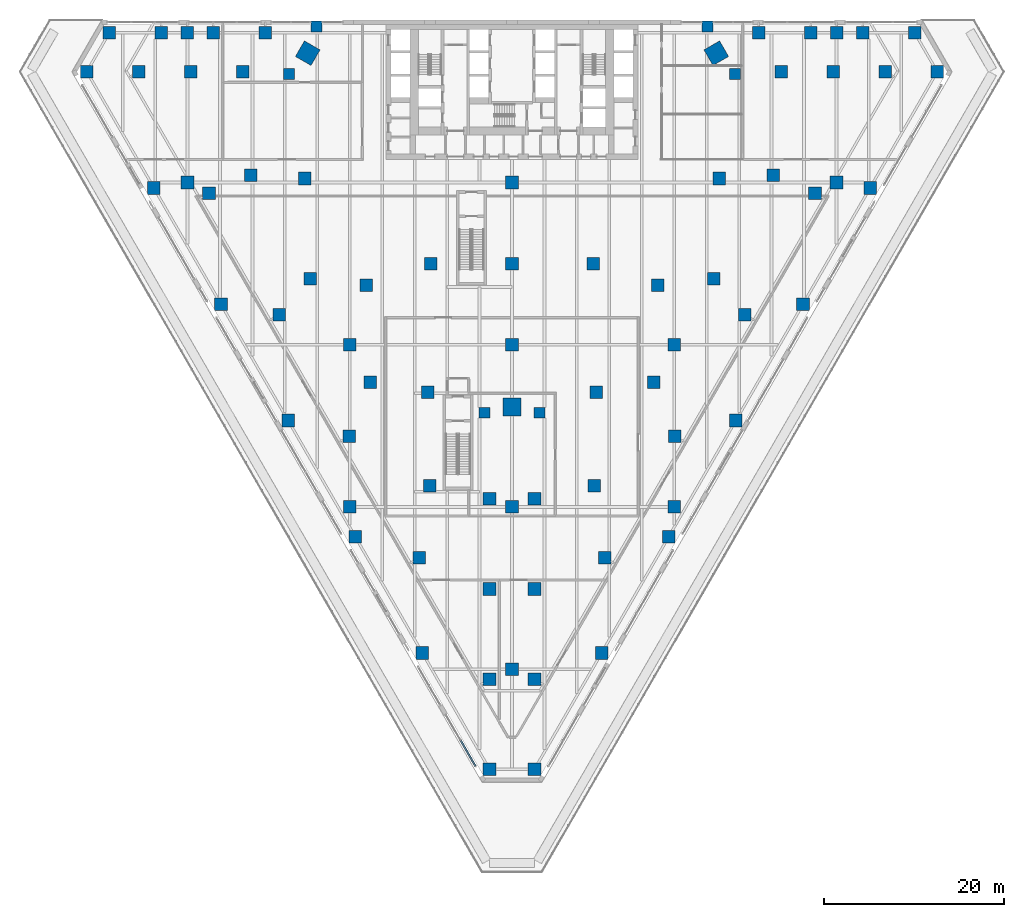
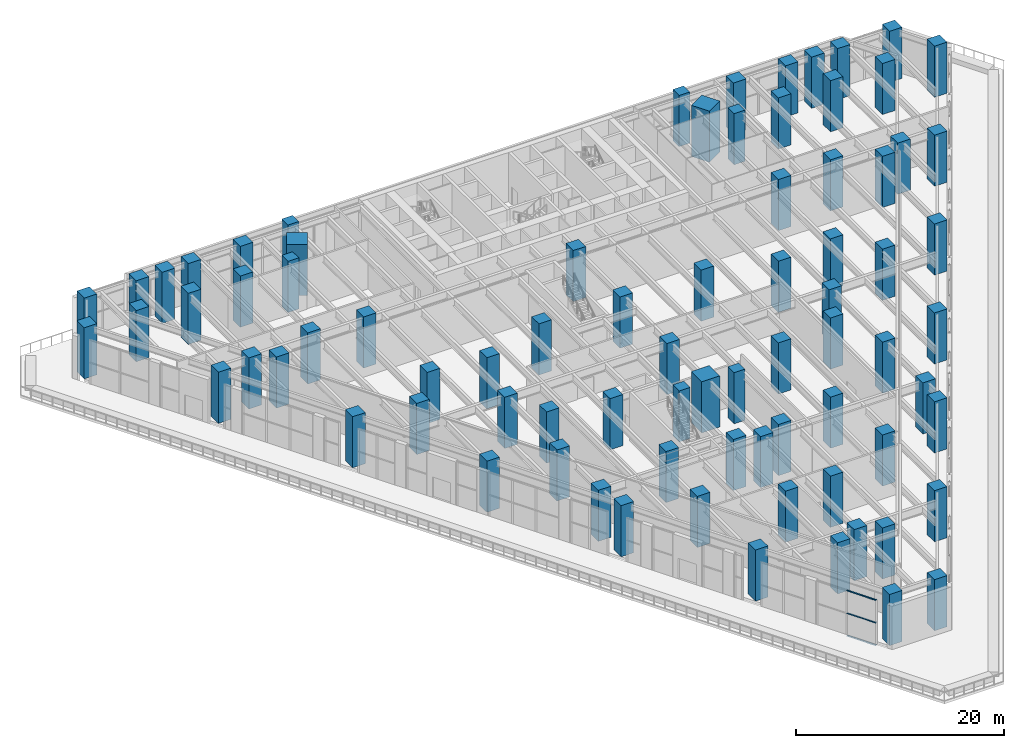
# One storey, part 1 of 40: 80 columns, 3 members, 1 element without a shape of its own.
"""IFC4 building model written with IfcOpenShell, lengths in metres."""

from ifc_helpers import new_model, si_unit, direction, frame, origin, origin_2d, place, context, subcontext, project, spatial, rectangle, extrude, material, material_profile, profile_set, type_object, element, aggregate, save


model = new_model("IFC4")

# Units and contexts
model_context = context("Model", 3, precision=1e-05, world=origin(), true_north=direction((0.0, 1.0)))
body_context = subcontext(model_context, "Body", "Model", "MODEL_VIEW")
ifc_project = project(units=[si_unit("LENGTHUNIT", "METRE"), si_unit("AREAUNIT", "SQUARE_METRE"), si_unit("VOLUMEUNIT", "CUBIC_METRE"), si_unit("PLANEANGLEUNIT", "RADIAN"), si_unit("MASSUNIT", "GRAM", prefix="KILO")], contexts=[model_context])

# Site, building, storey
site_placement = place(None, origin())
site = spatial("IfcSite", under=ifc_project, at=site_placement, CompositionType="ELEMENT")
building_placement = place(site_placement, origin())
building = spatial("IfcBuilding", under=site, at=building_placement, Name="Aloe Facet Convention Tower", CompositionType="ELEMENT")
storey_placement = place(building_placement, frame((0.0, 0.0, 13.5)))
storey = spatial("IfcBuildingStorey", under=building, at=storey_placement, Name="L02", CompositionType="ELEMENT", Elevation=13.5)

# Columns
ifc_material_1 = material(Name="Concrete C60/75", Category="concrete")
ifc_material_profile_1 = material_profile(ifc_material_1, rectangle(XDim=1.39990234375, YDim=1.39990234375, at=origin_2d()), Name="SF-PC-1400")
ifc_profile_set_1 = profile_set([ifc_material_profile_1], Name="Concrete C60/75")
column_type_1 = type_object("IfcColumnType", Name="SF-PC-1400", PredefinedType="COLUMN", material=ifc_profile_set_1)
for number, where, z_axis, x_axis, name in (
    (1, (89.0, 108.0, 0.0), (0.0, 0.0, 1.0), (1.0, 0.0, 0.0), "Podium column PC-10D"),
    (2, (98.0, 99.0, 0.0), (0.0, 0.0, 1.0), (1.0, 0.0, 0.0), "Podium column PC-11E"),
    (3, (98.0, 81.0, 0.0), (0.0, 0.0, 1.0), (1.0, 0.0, 0.0), "Podium column PC-11G"),
    (4, (116.0, 117.0, 0.0), (0.0, 0.0, 1.0), (1.0, 0.0, 0.0), "Podium column PC-13C"),
    (5, (44.0, 117.0, 0.0), (0.0, 0.0, 1.0), (1.0, 0.0, 0.0), "Podium column PC-5C"),
    (6, (62.0, 99.0, 0.0), (0.0, 0.0, 1.0), (1.0, 0.0, 0.0), "Podium column PC-7E"),
    (7, (62.0, 81.0, 0.0), (0.0, 0.0, 1.0), (1.0, 0.0, 0.0), "Podium column PC-7G"),
    (8, (71.0, 108.0, 0.0), (0.0, 0.0, 1.0), (1.0, 0.0, 0.0), "Podium column PC-8D"),
    (9, (80.0, 117.0, 0.0), (0.0, 0.0, 1.0), (1.0, 0.0, 0.0), "Podium column PC-9C"),
    (10, (80.0, 108.0, 0.0), (0.0, 0.0, 1.0), (1.0, 0.0, 0.0), "Podium column PC-9D"),
    (11, (80.0, 99.0, 0.0), (0.0, 0.0, 1.0), (1.0, 0.0, 0.0), "Podium column PC-9E"),
    (12, (80.0, 81.0, 0.0), (0.0, 0.0, 1.0), (1.0, 0.0, 0.0), "Podium column PC-9G"),
    (13, (80.0, 63.0, 0.0), (0.0, 0.0, 1.0), (1.0, 0.0, 0.0), "Podium column PC-9J"),
    (14, (102.375, 106.324951171875, 0.0), (0.0, 0.0, 1.0), (1.0, 0.0, 0.0), "Podium column PE-102-106"),
    (15, (103.01611328125, 117.43505859375, 0.0), (0.0, 0.0, 1.0), (1.0, 0.0, 0.0), "Podium column PE-103-117"),
    (16, (104.8349609375, 90.5849609375, 0.0), (0.0, 0.0, 1.0), (1.0, 0.0, 0.0), "Podium column PE-105-91"),
    (17, (105.839111328125, 102.324951171875, 0.0), (0.0, 0.0, 1.0), (1.0, 0.0, 0.0), "Podium column PE-106-102"),
    (18, (107.364990234375, 133.60009765625, 0.0), (0.0, 0.0, 1.0), (1.0, 0.0, 0.0), "Podium column PE-107-134"),
    (19, (109.0029296875, 117.804931640625, 0.0), (0.0, 0.0, 1.0), (1.0, 0.0, 0.0), "Podium column PE-109-118"),
    (20, (109.85693359375, 129.283935546875, 0.0), (0.0, 0.0, 1.0), (1.0, 0.0, 0.0), "Podium column PE-110-129"),
    (21, (112.281982421875, 103.485107421875, 0.0), (0.0, 0.0, 1.0), (1.0, 0.0, 0.0), "Podium column PE-112-103"),
    (22, (113.138916015625, 133.60009765625, 0.0), (0.0, 0.0, 1.0), (1.0, 0.0, 0.0), "Podium column PE-113-134"),
    (23, (113.62109375, 115.804931640625, 0.0), (0.0, 0.0, 1.0), (1.0, 0.0, 0.0), "Podium column PE-114-116"),
    (24, (115.6298828125, 129.283935546875, 0.0), (0.0, 0.0, 1.0), (1.0, 0.0, 0.0), "Podium column PE-116-129"),
    (25, (116.0419921875, 133.60009765625, 0.0), (0.0, 0.0, 1.0), (1.0, 0.0, 0.0), "Podium column PE-116-134"),
    (26, (118.912109375, 133.60009765625, 0.0), (0.0, 0.0, 1.0), (1.0, 0.0, 0.0), "Podium column PE-119-134"),
    (27, (119.72998046875, 116.385009765625, 0.0), (0.0, 0.0, 1.0), (1.0, 0.0, 0.0), "Podium column PE-120-116"),
    (28, (121.404052734375, 129.283935546875, 0.0), (0.0, 0.0, 1.0), (1.0, 0.0, 0.0), "Podium column PE-121-129"),
    (29, (124.68603515625, 133.60009765625, 0.0), (0.0, 0.0, 1.0), (1.0, 0.0, 0.0), "Podium column PE-125-134"),
    (30, (127.177001953125, 129.283935546875, 0.0), (0.0, 0.0, 1.0), (1.0, 0.0, 0.0), "Podium column PE-127-129"),
    (31, (32.822998046875, 129.283935546875, 0.0), (0.0, 0.0, 1.0), (1.0, 0.0, 0.0), "Podium column PE-33-129"),
    (32, (35.31396484375, 133.60009765625, 0.0), (0.0, 0.0, 1.0), (1.0, 0.0, 0.0), "Podium column PE-35-134"),
    (33, (38.595947265625, 129.283935546875, 0.0), (0.0, 0.0, 1.0), (1.0, 0.0, 0.0), "Podium column PE-39-129"),
    (34, (40.27001953125, 116.385009765625, 0.0), (0.0, 0.0, 1.0), (1.0, 0.0, 0.0), "Podium column PE-40-116"),
    (35, (41.087890625, 133.60009765625, 0.0), (0.0, 0.0, 1.0), (1.0, 0.0, 0.0), "Podium column PE-41-134"),
    (36, (44.3701171875, 129.283935546875, 0.0), (0.0, 0.0, 1.0), (1.0, 0.0, 0.0), "Podium column PE-44-129"),
    (37, (43.9580078125, 133.60009765625, 0.0), (0.0, 0.0, 1.0), (1.0, 0.0, 0.0), "Podium column PE-44-134"),
    (38, (46.37890625, 115.804931640625, 0.0), (0.0, 0.0, 1.0), (1.0, 0.0, 0.0), "Podium column PE-46-116"),
    (39, (46.861083984375, 133.60009765625, 0.0), (0.0, 0.0, 1.0), (1.0, 0.0, 0.0), "Podium column PE-47-134"),
    (40, (47.718017578125, 103.485107421875, 0.0), (0.0, 0.0, 1.0), (1.0, 0.0, 0.0), "Podium column PE-48-103"),
    (41, (50.14306640625, 129.283935546875, 0.0), (0.0, 0.0, 1.0), (1.0, 0.0, 0.0), "Podium column PE-50-129"),
    (42, (50.9970703125, 117.804931640625, 0.0), (0.0, 0.0, 1.0), (1.0, 0.0, 0.0), "Podium column PE-51-118"),
    (43, (52.635009765625, 133.60009765625, 0.0), (0.0, 0.0, 1.0), (1.0, 0.0, 0.0), "Podium column PE-53-134"),
    (44, (54.160888671875, 102.324951171875, 0.0), (0.0, 0.0, 1.0), (1.0, 0.0, 0.0), "Podium column PE-54-102"),
    (45, (55.1650390625, 90.5849609375, 0.0), (0.0, 0.0, 1.0), (1.0, 0.0, 0.0), "Podium column PE-55-91"),
    (46, (56.98388671875, 117.43505859375, 0.0), (0.0, 0.0, 1.0), (1.0, 0.0, 0.0), "Podium column PE-57-117"),
    (47, (57.625, 106.324951171875, 0.0), (0.0, 0.0, 1.0), (1.0, 0.0, 0.0), "Podium column PE-58-106"),
    (48, (61.943115234375, 88.844970703125, 0.0), (0.0, 0.0, 1.0), (1.0, 0.0, 0.0), "Podium column PE-62-89"),
    (49, (62.613037109375, 77.68603515625, 0.0), (0.0, 0.0, 1.0), (1.0, 0.0, 0.0), "Podium column PE-63-78"),
    (50, (63.825927734375, 105.5849609375, 0.0), (0.0, 0.0, 1.0), (1.0, 0.0, 0.0), "Podium column PE-64-106"),
    (51, (64.2529296875, 94.844970703125, 0.0), (0.0, 0.0, 1.0), (1.0, 0.0, 0.0), "Podium column PE-64-95"),
    (52, (70.06103515625, 64.785888671875, 0.0), (0.0, 0.0, 1.0), (1.0, 0.0, 0.0), "Podium column PE-70-65"),
    (53, (69.72607421875, 75.365966796875, 0.0), (0.0, 0.0, 1.0), (1.0, 0.0, 0.0), "Podium column PE-70-75"),
    (54, (70.881103515625, 83.365966796875, 0.0), (0.0, 0.0, 1.0), (1.0, 0.0, 0.0), "Podium column PE-71-83"),
    (55, (70.6669921875, 93.736083984375, 0.0), (0.0, 0.0, 1.0), (1.0, 0.0, 0.0), "Podium column PE-71-94"),
    (56, (77.508056640625, 51.885986328125, 0.0), (0.0, 0.0, 1.0), (1.0, 0.0, 0.0), "Podium column PE-78-52"),
    (57, (77.508056640625, 61.885986328125, 0.0), (0.0, 0.0, 1.0), (1.0, 0.0, 0.0), "Podium column PE-78-62"),
    (58, (77.508056640625, 71.885986328125, 0.0), (0.0, 0.0, 1.0), (1.0, 0.0, 0.0), "Podium column PE-78-72"),
    (59, (77.508056640625, 81.885986328125, 0.0), (0.0, 0.0, 1.0), (1.0, 0.0, 0.0), "Podium column PE-78-82"),
    (60, (82.491943359375, 51.885986328125, 0.0), (0.0, 0.0, 1.0), (1.0, 0.0, 0.0), "Podium column PE-82-52"),
    (61, (82.491943359375, 61.885986328125, 0.0), (0.0, 0.0, 1.0), (1.0, 0.0, 0.0), "Podium column PE-82-62"),
    (62, (82.491943359375, 71.885986328125, 0.0), (0.0, 0.0, 1.0), (1.0, 0.0, 0.0), "Podium column PE-82-72"),
    (63, (82.491943359375, 81.885986328125, 0.0), (0.0, 0.0, 1.0), (1.0, 0.0, 0.0), "Podium column PE-82-82"),
    (64, (89.118896484375, 83.365966796875, 0.0), (0.0, 0.0, 1.0), (1.0, 0.0, 0.0), "Podium column PE-89-83"),
    (65, (89.3330078125, 93.736083984375, 0.0), (0.0, 0.0, 1.0), (1.0, 0.0, 0.0), "Podium column PE-89-94"),
    (66, (89.93896484375, 64.785888671875, 0.0), (0.0, 0.0, 1.0), (1.0, 0.0, 0.0), "Podium column PE-90-65"),
    (67, (90.27392578125, 75.365966796875, 0.0), (0.0, 0.0, 1.0), (1.0, 0.0, 0.0), "Podium column PE-90-75"),
    (68, (96.174072265625, 105.5849609375, 0.0), (0.0, 0.0, 1.0), (1.0, 0.0, 0.0), "Podium column PE-96-106"),
    (69, (95.7470703125, 94.844970703125, 0.0), (0.0, 0.0, 1.0), (1.0, 0.0, 0.0), "Podium column PE-96-95"),
    (70, (97.386962890625, 77.68603515625, 0.0), (0.0, 0.0, 1.0), (1.0, 0.0, 0.0), "Podium column PE-97-78"),
    (71, (98.056884765625, 88.844970703125, 0.0), (0.0, 0.0, 1.0), (1.0, 0.0, 0.0), "Podium column PE-98-89"),
):
    element("IfcColumn", number, at=place(storey_placement, frame(where, z_axis=z_axis, x_axis=x_axis)), inside=storey, type_object=column_type_1, Name=name, PredefinedType="COLUMN", context=body_context, shape_type="SweptSolid", body=[
        extrude(rectangle(XDim=1.39990234375, YDim=1.39990234375, at=origin_2d()), origin(), (0.0, 0.0, 1.0), 6.0),
    ])
ifc_material_2 = material(Name="Concrete C60/75", Category="concrete")
ifc_material_profile_2 = material_profile(ifc_material_2, rectangle(XDim=1.199951171875, YDim=1.199951171875, at=origin_2d()), Name="SF-PR-1200")
ifc_profile_set_2 = profile_set([ifc_material_profile_2], Name="Concrete C60/75")
column_type_2 = type_object("IfcColumnType", Name="SF-PR-1200", PredefinedType="COLUMN", material=ifc_profile_set_2)
for number, where, z_axis, x_axis, name in (
    (72, (55.256103515625, 129.028076171875, 0.0), (0.0, 0.0, 1.0), (1.0, 0.0, 0.0), "Podium column PR-01-55-129"),
    (73, (58.300048828125, 134.300048828125, 0.0), (0.0, 0.0, 1.0), (1.0, 0.0, 0.0), "Podium column PR-02-58-134"),
    (74, (76.956298828125, 91.4423828125, 0.0), (0.0, 0.0, 1.0), (1.0, 0.0, 0.0), "Podium column PR-03-77-91"),
    (75, (83.043701171875, 91.4423828125, 0.0), (0.0, 0.0, 1.0), (1.0, 0.0, 0.0), "Podium column PR-04-83-91"),
    (76, (101.699951171875, 134.300048828125, 0.0), (0.0, 0.0, 1.0), (1.0, 0.0, 0.0), "Podium column PR-05-102-134"),
    (77, (104.743896484375, 129.028076171875, 0.0), (0.0, 0.0, 1.0), (1.0, 0.0, 0.0), "Podium column PR-06-105-129"),
):
    element("IfcColumn", number, at=place(storey_placement, frame(where, z_axis=z_axis, x_axis=x_axis)), inside=storey, type_object=column_type_2, Name=name, PredefinedType="COLUMN", context=body_context, shape_type="SweptSolid", body=[
        extrude(rectangle(XDim=1.199951171875, YDim=1.199951171875, at=origin_2d()), origin(), (0.0, 0.0, 1.0), 6.0),
    ])
ifc_material_3 = material(Name="Concrete C80/95", Category="concrete")
ifc_material_profile_3 = material_profile(ifc_material_3, rectangle(XDim=2.0, YDim=2.0, at=origin_2d()), Name="STW-MC-Z1")
ifc_profile_set_3 = profile_set([ifc_material_profile_3], Name="Concrete C80/95")
column_type_3 = type_object("IfcColumnType", Name="STW-MC-Z1", PredefinedType="COLUMN", material=ifc_profile_set_3)
for number, where, z_axis, x_axis, name in (
    (78, (102.664306640625, 131.342041015625, 0.0), (0.0, 0.0, 1.0), (-0.5, 0.866025403784, 0.0), "Mega-column MC-NE-L02"),
    (79, (57.335693359375, 131.342041015625, 0.0), (0.0, 0.0, 1.0), (-0.5, -0.866025403784, 0.0), "Mega-column MC-NW-L02"),
    (80, (80.0, 92.086181640625, 0.0), (0.0, 0.0, 1.0), (1.0, 0.0, 0.0), "Mega-column MC-S-L02"),
):
    element("IfcColumn", number, at=place(storey_placement, frame(where, z_axis=z_axis, x_axis=x_axis)), inside=storey, type_object=column_type_3, Name=name, PredefinedType="COLUMN", context=body_context, shape_type="SweptSolid", body=[
        extrude(rectangle(XDim=2.0, YDim=2.0, at=origin_2d()), origin(), (0.0, 0.0, 1.0), 6.0),
    ])

# Curtain wall, members
ifc_material_4 = material(Name="Aluminium, anodised", Category="aluminium")
curtain_wall_type = type_object("IfcCurtainWallType", Name="EV-CW-HALL", PredefinedType="USERDEFINED", material=ifc_material_4)
curtain_wall_placement = place(storey_placement, origin())
curtain_wall = element("IfcCurtainWall", 81, at=curtain_wall_placement, inside=storey, type_object=curtain_wall_type, Name="CW-L02-W20", ObjectType="UNITISED HALL GLAZING", PredefinedType="USERDEFINED")
ifc_material_5 = material(Name="Aluminium, anodised", Category="aluminium")
ifc_material_profile_4 = material_profile(ifc_material_5, rectangle(XDim=0.159912109375, YDim=0.06494140625, at=origin_2d()), Name="AL 160x65")
ifc_profile_set_4 = profile_set([ifc_material_profile_4], Name="Aluminium, anodised")
member_type = type_object("IfcMemberType", Name="EV-TRAN-HALL", PredefinedType="USERDEFINED", material=ifc_profile_set_4)
member_1_placement = place(storey_placement, frame((74.328125, 55.04443359375, -0.267578125), z_axis=(0.50000982419, -0.866019731711, 0.0), x_axis=(0.866019731711, 0.50000982419, 0.0)))
member_1 = element("IfcMember", 82, at=member_1_placement, type_object=member_type, Name="CW-L02-W20 transom 2.1", ObjectType="TRANSOM", PredefinedType="USERDEFINED", context=body_context, shape_type="SweptSolid", body=[
    extrude(rectangle(XDim=0.159912109375, YDim=0.06494140625, at=origin_2d()), origin(), (0.0, 0.0, 1.0), 3.23583984375),
])
member_2_placement = place(storey_placement, frame((74.328125, 55.04443359375, 2.38134765625), z_axis=(0.50000982419, -0.866019731711, 0.0), x_axis=(0.866019731711, 0.50000982419, 0.0)))
member_2 = element("IfcMember", 83, at=member_2_placement, type_object=member_type, Name="CW-L02-W20 transom 2.2", ObjectType="TRANSOM", PredefinedType="USERDEFINED", context=body_context, shape_type="SweptSolid", body=[
    extrude(rectangle(XDim=0.159912109375, YDim=0.06494140625, at=origin_2d()), origin(), (0.0, 0.0, 1.0), 3.23583984375),
])
member_3_placement = place(storey_placement, frame((74.328125, 55.04443359375, 5.030029296875), z_axis=(0.50000982419, -0.866019731711, 0.0), x_axis=(0.866019731711, 0.50000982419, 0.0)))
member_3 = element("IfcMember", 84, at=member_3_placement, type_object=member_type, Name="CW-L02-W20 transom 2.3", ObjectType="TRANSOM", PredefinedType="USERDEFINED", context=body_context, shape_type="SweptSolid", body=[
    extrude(rectangle(XDim=0.159912109375, YDim=0.06494140625, at=origin_2d()), origin(), (0.0, 0.0, 1.0), 3.23583984375),
])
aggregate(curtain_wall, [member_1, member_2, member_3])

save(model, "model.ifc")
